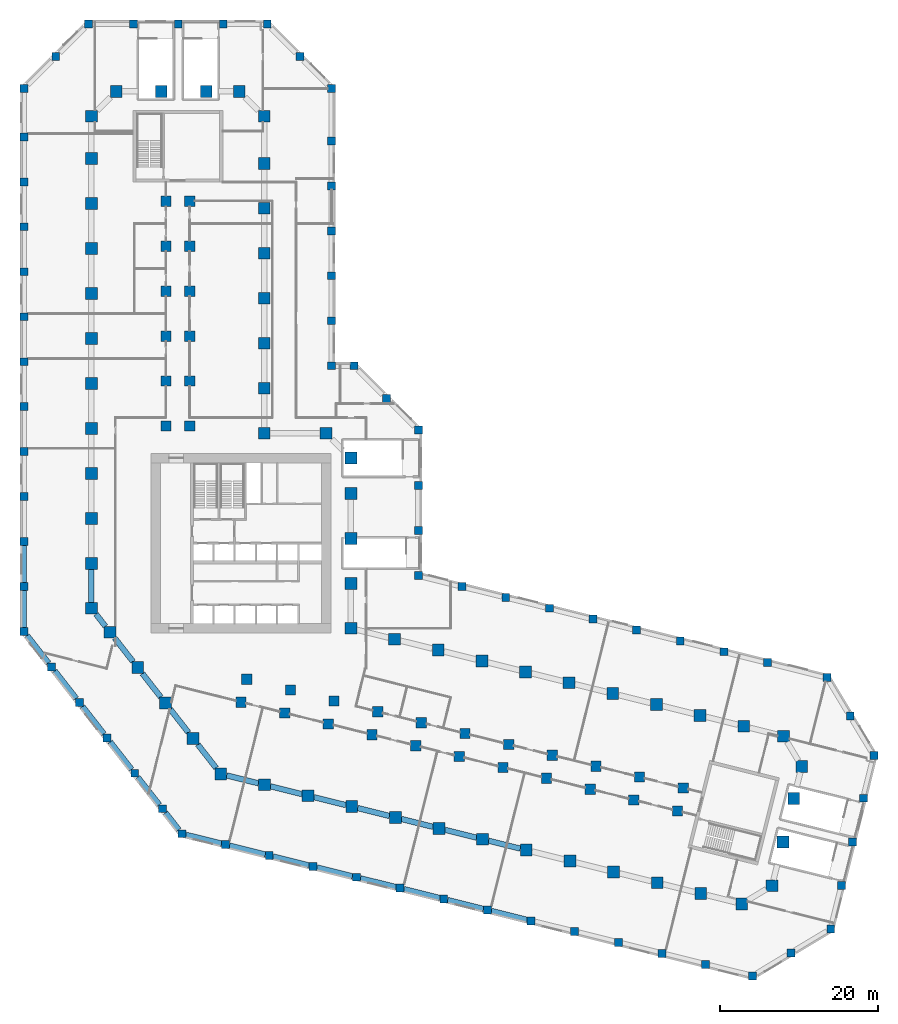
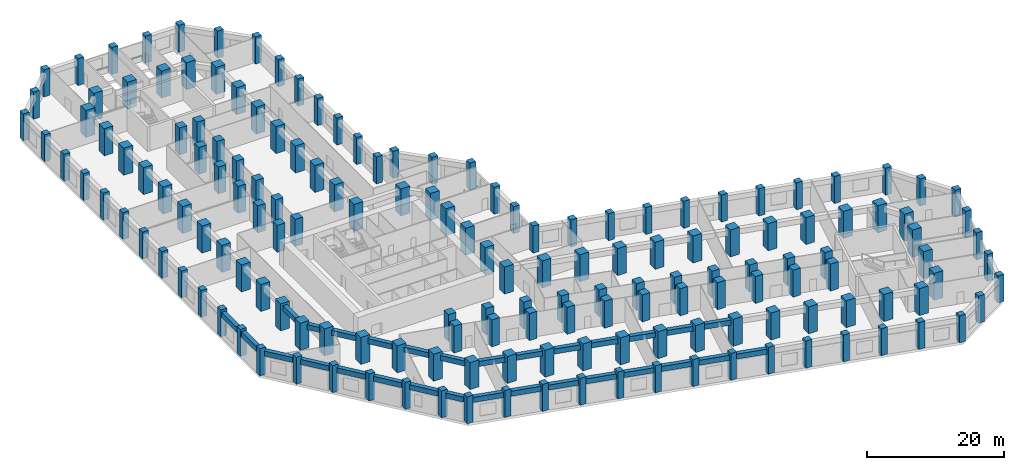
# One storey, part 1 of 13: 163 columns, 29 beams.
"""IFC4 building model written with IfcOpenShell, lengths in metres."""

from ifc_helpers import new_model, si_unit, direction, frame, origin, origin_2d, place, context, subcontext, project, spatial, rectangle, extrude, material, material_profile, profile_set, type_object, element, save


model = new_model("IFC4")

# Units and contexts
model_context = context("Model", 3, precision=1e-05, world=origin(), true_north=direction((0.0, 1.0)))
body_context = subcontext(model_context, "Body", "Model", "MODEL_VIEW")
ifc_project = project(units=[si_unit("LENGTHUNIT", "METRE"), si_unit("AREAUNIT", "SQUARE_METRE"), si_unit("VOLUMEUNIT", "CUBIC_METRE"), si_unit("PLANEANGLEUNIT", "RADIAN"), si_unit("MASSUNIT", "GRAM", prefix="KILO")], contexts=[model_context])

# Site, building, storey
site_placement = place(None, origin())
site = spatial("IfcSite", under=ifc_project, at=site_placement, CompositionType="ELEMENT")
building_placement = place(site_placement, origin())
building = spatial("IfcBuilding", under=site, at=building_placement, Name="Meshkara Civic Tower", CompositionType="ELEMENT")
storey_placement = place(building_placement, frame((0.0, 0.0, 28.199951171875)))
storey = spatial("IfcBuildingStorey", under=building, at=storey_placement, Name="L05", CompositionType="ELEMENT", Elevation=28.199951171875)

# Columns
ifc_material_1 = material(Name="Concrete C80", Category="concrete")
ifc_material_profile_1 = material_profile(ifc_material_1, rectangle(XDim=1.300048828125, YDim=1.300048828125, at=origin_2d()))
ifc_profile_set_1 = profile_set([ifc_material_profile_1], Name="Concrete C80")
column_type_1 = type_object("IfcColumnType", Name="Interior column RC 1300x1300 C80", PredefinedType="COLUMN", material=ifc_profile_set_1)
for number, where, z_axis, x_axis, name in (
    (1, (9.89990234375, 40.35009765625, 0.0), (0.0, 0.0, 1.0), (1.0, 0.0, 0.0), "Column SA1-04 L05"),
    (2, (9.89990234375, 46.050048828125, 0.0), (0.0, 0.0, 1.0), (1.0, 0.0, 0.0), "Column SA1-05 L05"),
    (3, (9.89990234375, 51.75, 0.0), (0.0, 0.0, 1.0), (1.0, 0.0, 0.0), "Column SA1-06 L05"),
    (4, (9.89990234375, 57.449951171875, 0.0), (0.0, 0.0, 1.0), (1.0, 0.0, 0.0), "Column SA1-07 L05"),
    (5, (9.89990234375, 63.14990234375, 0.0), (0.0, 0.0, 1.0), (1.0, 0.0, 0.0), "Column SA1-08 L05"),
    (6, (9.89990234375, 68.85009765625, 0.0), (0.0, 0.0, 1.0), (1.0, 0.0, 0.0), "Column SA1-09 L05"),
    (7, (12.89990234375, 40.35009765625, 0.0), (0.0, 0.0, 1.0), (1.0, 0.0, 0.0), "Column SA2-04 L05"),
    (8, (12.89990234375, 46.050048828125, 0.0), (0.0, 0.0, 1.0), (1.0, 0.0, 0.0), "Column SA2-05 L05"),
    (9, (12.89990234375, 51.75, 0.0), (0.0, 0.0, 1.0), (1.0, 0.0, 0.0), "Column SA2-06 L05"),
    (10, (12.89990234375, 57.449951171875, 0.0), (0.0, 0.0, 1.0), (1.0, 0.0, 0.0), "Column SA2-07 L05"),
    (11, (12.89990234375, 63.14990234375, 0.0), (0.0, 0.0, 1.0), (1.0, 0.0, 0.0), "Column SA2-08 L05"),
    (12, (12.89990234375, 68.85009765625, 0.0), (0.0, 0.0, 1.0), (1.0, 0.0, 0.0), "Column SA2-09 L05"),
    (13, (19.424072265625, 5.360107421875, 0.0), (0.0, 0.0, 1.0), (1.0, 0.0, 0.0), "Column SB1-00 L05"),
    (14, (24.9541015625, 3.98095703125, 0.0), (0.0, 0.0, 1.0), (1.0, 0.0, 0.0), "Column SB1-01 L05"),
    (15, (30.485107421875, 2.60205078125, 0.0), (0.0, 0.0, 1.0), (1.0, 0.0, 0.0), "Column SB1-02 L05"),
    (16, (36.01611328125, 1.222900390625, 0.0), (0.0, 0.0, 1.0), (1.0, 0.0, 0.0), "Column SB1-03 L05"),
    (17, (41.5458984375, -0.156005859375, 0.0), (0.0, 0.0, 1.0), (1.0, 0.0, 0.0), "Column SB1-04 L05"),
    (18, (47.076904296875, -1.534912109375, 0.0), (0.0, 0.0, 1.0), (1.0, 0.0, 0.0), "Column SB1-05 L05"),
    (19, (52.60791015625, -2.9140625, 0.0), (0.0, 0.0, 1.0), (1.0, 0.0, 0.0), "Column SB1-06 L05"),
    (20, (58.138916015625, -4.2919921875, 0.0), (0.0, 0.0, 1.0), (1.0, 0.0, 0.0), "Column SB1-07 L05"),
    (21, (63.6689453125, -5.6708984375, 0.0), (0.0, 0.0, 1.0), (1.0, 0.0, 0.0), "Column SB1-08 L05"),
    (22, (69.199951171875, -7.050048828125, 0.0), (0.0, 0.0, 1.0), (1.0, 0.0, 0.0), "Column SB1-09 L05"),
    (23, (74.73095703125, -8.428955078125, 0.0), (0.0, 0.0, 1.0), (1.0, 0.0, 0.0), "Column SB1-10 L05"),
    (24, (20.14892578125, 8.27099609375, 0.0), (0.0, 0.0, 1.0), (1.0, 0.0, 0.0), "Column SB2-00 L05"),
    (25, (25.679931640625, 6.89208984375, 0.0), (0.0, 0.0, 1.0), (1.0, 0.0, 0.0), "Column SB2-01 L05"),
    (26, (31.2109375, 5.512939453125, 0.0), (0.0, 0.0, 1.0), (1.0, 0.0, 0.0), "Column SB2-02 L05"),
    (27, (36.741943359375, 4.134033203125, 0.0), (0.0, 0.0, 1.0), (1.0, 0.0, 0.0), "Column SB2-03 L05"),
    (28, (42.27197265625, 2.7548828125, 0.0), (0.0, 0.0, 1.0), (1.0, 0.0, 0.0), "Column SB2-04 L05"),
    (29, (47.802978515625, 1.3759765625, 0.0), (0.0, 0.0, 1.0), (1.0, 0.0, 0.0), "Column SB2-05 L05"),
    (30, (53.333984375, -0.0029296875, 0.0), (0.0, 0.0, 1.0), (1.0, 0.0, 0.0), "Column SB2-06 L05"),
    (31, (58.864013671875, -1.382080078125, 0.0), (0.0, 0.0, 1.0), (1.0, 0.0, 0.0), "Column SB2-07 L05"),
    (32, (64.39501953125, -2.760986328125, 0.0), (0.0, 0.0, 1.0), (1.0, 0.0, 0.0), "Column SB2-08 L05"),
    (33, (69.926025390625, -4.139892578125, 0.0), (0.0, 0.0, 1.0), (1.0, 0.0, 0.0), "Column SB2-09 L05"),
    (34, (75.4560546875, -5.51806640625, 0.0), (0.0, 0.0, 1.0), (1.0, 0.0, 0.0), "Column SB2-10 L05"),
):
    element("IfcColumn", number, at=place(storey_placement, frame(where, z_axis=z_axis, x_axis=x_axis)), inside=storey, type_object=column_type_1, Name=name, PredefinedType="COLUMN", context=body_context, shape_type="SweptSolid", body=[
        extrude(rectangle(XDim=1.300048828125, YDim=1.300048828125, at=origin_2d()), origin(), (0.0, 0.0, 1.0), 4.800048828125),
    ])
ifc_material_2 = material(Name="Concrete C80", Category="concrete")
ifc_material_profile_2 = material_profile(ifc_material_2, rectangle(XDim=1.5, YDim=1.5, at=origin_2d()))
ifc_profile_set_2 = profile_set([ifc_material_profile_2], Name="Concrete C80")
column_type_2 = type_object("IfcColumnType", Name="Perimeter column RC 1500x1500 C80", PredefinedType="COLUMN", material=ifc_profile_set_2)
for number, where, z_axis, x_axis, name in (
    (35, (33.35009765625, 14.718994140625, 0.0), (0.0, 0.0, 1.0), (1.0, 0.0, 0.0), "Column HE00 L05"),
    (36, (33.35009765625, 20.4189453125, 0.0), (0.0, 0.0, 1.0), (1.0, 0.0, 0.0), "Column HE01 L05"),
    (37, (33.35009765625, 26.118896484375, 0.0), (0.0, 0.0, 1.0), (1.0, 0.0, 0.0), "Column HE02 L05"),
    (38, (33.35009765625, 31.819091796875, 0.0), (0.0, 0.0, 1.0), (1.0, 0.0, 0.0), "Column HE03 L05"),
    (39, (33.35009765625, 36.2939453125, 0.0), (0.0, 0.0, 1.0), (1.0, 0.0, 0.0), "Column HEE L05"),
    (40, (30.194091796875, 39.449951171875, 0.0), (0.0, 0.0, 1.0), (1.0, 0.0, 0.0), "Column HCeE L05"),
    (41, (22.35009765625, 39.449951171875, 0.0), (0.0, 0.0, 1.0), (1.0, 0.0, 0.0), "Column HN00 L05"),
    (42, (22.35009765625, 45.14990234375, 0.0), (0.0, 0.0, 1.0), (1.0, 0.0, 0.0), "Column AE01 L05"),
    (43, (22.35009765625, 50.85009765625, 0.0), (0.0, 0.0, 1.0), (1.0, 0.0, 0.0), "Column AE02 L05"),
    (44, (22.35009765625, 56.550048828125, 0.0), (0.0, 0.0, 1.0), (1.0, 0.0, 0.0), "Column AE03 L05"),
    (45, (22.35009765625, 62.25, 0.0), (0.0, 0.0, 1.0), (1.0, 0.0, 0.0), "Column AE04 L05"),
    (46, (22.35009765625, 67.949951171875, 0.0), (0.0, 0.0, 1.0), (1.0, 0.0, 0.0), "Column AE05 L05"),
    (47, (22.35009765625, 73.64990234375, 0.0), (0.0, 0.0, 1.0), (1.0, 0.0, 0.0), "Column AE06 L05"),
    (48, (22.35009765625, 79.614013671875, 0.0), (0.0, 0.0, 1.0), (1.0, 0.0, 0.0), "Column AEE L05"),
    (49, (19.194091796875, 82.77001953125, 0.0), (0.0, 0.0, 1.0), (1.0, 0.0, 0.0), "Column ATiE L05"),
    (50, (3.60595703125, 82.77001953125, 0.0), (0.0, 0.0, 1.0), (1.0, 0.0, 0.0), "Column AT00 L05"),
    (51, (9.305908203125, 82.77001953125, 0.0), (0.0, 0.0, 1.0), (1.0, 0.0, 0.0), "Column AT01 L05"),
    (52, (15.006103515625, 82.77001953125, 0.0), (0.0, 0.0, 1.0), (1.0, 0.0, 0.0), "Column AT02 L05"),
    (53, (0.449951171875, 79.614013671875, 0.0), (0.0, 0.0, 1.0), (1.0, 0.0, 0.0), "Column ATo00 L05"),
    (54, (0.449951171875, 17.2548828125, 0.0), (0.0, 0.0, 1.0), (1.0, 0.0, 0.0), "Column AW00 L05"),
    (55, (0.449951171875, 22.955078125, 0.0), (0.0, 0.0, 1.0), (1.0, 0.0, 0.0), "Column AW01 L05"),
    (56, (0.449951171875, 28.655029296875, 0.0), (0.0, 0.0, 1.0), (1.0, 0.0, 0.0), "Column AW02 L05"),
    (57, (0.449951171875, 34.35498046875, 0.0), (0.0, 0.0, 1.0), (1.0, 0.0, 0.0), "Column AW03 L05"),
    (58, (0.449951171875, 40.054931640625, 0.0), (0.0, 0.0, 1.0), (1.0, 0.0, 0.0), "Column AW04 L05"),
    (59, (0.449951171875, 45.7548828125, 0.0), (0.0, 0.0, 1.0), (1.0, 0.0, 0.0), "Column AW05 L05"),
    (60, (0.449951171875, 51.455078125, 0.0), (0.0, 0.0, 1.0), (1.0, 0.0, 0.0), "Column AW06 L05"),
    (61, (0.449951171875, 57.155029296875, 0.0), (0.0, 0.0, 1.0), (1.0, 0.0, 0.0), "Column AW07 L05"),
    (62, (0.449951171875, 62.85498046875, 0.0), (0.0, 0.0, 1.0), (1.0, 0.0, 0.0), "Column AW08 L05"),
    (63, (0.449951171875, 68.554931640625, 0.0), (0.0, 0.0, 1.0), (1.0, 0.0, 0.0), "Column AW09 L05"),
    (64, (0.449951171875, 74.2548828125, 0.0), (0.0, 0.0, 1.0), (1.0, 0.0, 0.0), "Column AW10 L05"),
    (65, (16.85107421875, -3.738037109375, 0.0), (0.0, 0.0, 1.0), (1.0, 0.0, 0.0), "Column BOW00 L05"),
    (66, (13.342041015625, 0.75390625, 0.0), (0.0, 0.0, 1.0), (1.0, 0.0, 0.0), "Column BOW01 L05"),
    (67, (9.8330078125, 5.2451171875, 0.0), (0.0, 0.0, 1.0), (1.0, 0.0, 0.0), "Column BOW02 L05"),
    (68, (6.322998046875, 9.737060546875, 0.0), (0.0, 0.0, 1.0), (1.0, 0.0, 0.0), "Column BOW03 L05"),
    (69, (2.81396484375, 14.22900390625, 0.0), (0.0, 0.0, 1.0), (1.0, 0.0, 0.0), "Column BOW04 L05"),
    (70, (22.382080078125, -5.116943359375, 0.0), (0.0, 0.0, 1.0), (1.0, 0.0, 0.0), "Column BS01 L05"),
    (71, (27.912109375, -6.49609375, 0.0), (0.0, 0.0, 1.0), (1.0, 0.0, 0.0), "Column BS02 L05"),
    (72, (33.443115234375, -7.875, 0.0), (0.0, 0.0, 1.0), (1.0, 0.0, 0.0), "Column BS03 L05"),
    (73, (38.97412109375, -9.25390625, 0.0), (0.0, 0.0, 1.0), (1.0, 0.0, 0.0), "Column BS04 L05"),
    (74, (44.5048828125, -10.632080078125, 0.0), (0.0, 0.0, 1.0), (1.0, 0.0, 0.0), "Column BS05 L05"),
    (75, (50.034912109375, -12.010986328125, 0.0), (0.0, 0.0, 1.0), (1.0, 0.0, 0.0), "Column BS06 L05"),
    (76, (55.56591796875, -13.389892578125, 0.0), (0.0, 0.0, 1.0), (1.0, 0.0, 0.0), "Column BS07 L05"),
    (77, (61.096923828125, -14.76904296875, 0.0), (0.0, 0.0, 1.0), (1.0, 0.0, 0.0), "Column BS08 L05"),
    (78, (66.626953125, -16.14794921875, 0.0), (0.0, 0.0, 1.0), (1.0, 0.0, 0.0), "Column BS09 L05"),
    (79, (72.157958984375, -17.527099609375, 0.0), (0.0, 0.0, 1.0), (1.0, 0.0, 0.0), "Column BS10 L05"),
    (80, (77.68896484375, -18.906005859375, 0.0), (0.0, 0.0, 1.0), (1.0, 0.0, 0.0), "Column BS11 L05"),
    (81, (82.887939453125, -20.201904296875, 0.0), (0.0, 0.0, 1.0), (1.0, 0.0, 0.0), "Column BSE L05"),
    (82, (86.714111328125, -17.903076171875, 0.0), (0.0, 0.0, 1.0), (1.0, 0.0, 0.0), "Column BToE L05"),
    (83, (88.093017578125, -12.3720703125, 0.0), (0.0, 0.0, 1.0), (1.0, 0.0, 0.0), "Column BT01 L05"),
    (84, (89.471923828125, -6.842041015625, 0.0), (0.0, 0.0, 1.0), (1.0, 0.0, 0.0), "Column BT02 L05"),
    (85, (90.485107421875, -2.779052734375, 0.0), (0.0, 0.0, 1.0), (1.0, 0.0, 0.0), "Column BTE L05"),
    (86, (88.18603515625, 1.0458984375, 0.0), (0.0, 0.0, 1.0), (1.0, 0.0, 0.0), "Column BTi00 L05"),
    (87, (38.881103515625, 13.340087890625, 0.0), (0.0, 0.0, 1.0), (1.0, 0.0, 0.0), "Column BN01 L05"),
    (88, (44.410888671875, 11.9609375, 0.0), (0.0, 0.0, 1.0), (1.0, 0.0, 0.0), "Column BN02 L05"),
    (89, (49.94189453125, 10.58203125, 0.0), (0.0, 0.0, 1.0), (1.0, 0.0, 0.0), "Column BN03 L05"),
    (90, (55.472900390625, 9.202880859375, 0.0), (0.0, 0.0, 1.0), (1.0, 0.0, 0.0), "Column BN04 L05"),
    (91, (61.0029296875, 7.823974609375, 0.0), (0.0, 0.0, 1.0), (1.0, 0.0, 0.0), "Column BN05 L05"),
    (92, (66.533935546875, 6.445068359375, 0.0), (0.0, 0.0, 1.0), (1.0, 0.0, 0.0), "Column BN06 L05"),
    (93, (72.06494140625, 5.06591796875, 0.0), (0.0, 0.0, 1.0), (1.0, 0.0, 0.0), "Column BN07 L05"),
    (94, (77.594970703125, 3.68701171875, 0.0), (0.0, 0.0, 1.0), (1.0, 0.0, 0.0), "Column BN08 L05"),
    (95, (83.1259765625, 2.30810546875, 0.0), (0.0, 0.0, 1.0), (1.0, 0.0, 0.0), "Column BN09 L05"),
):
    element("IfcColumn", number, at=place(storey_placement, frame(where, z_axis=z_axis, x_axis=x_axis)), inside=storey, type_object=column_type_2, Name=name, PredefinedType="COLUMN", context=body_context, shape_type="SweptSolid", body=[
        extrude(rectangle(XDim=1.5, YDim=1.5, at=origin_2d()), origin(), (0.0, 0.0, 1.0), 4.800048828125),
    ])
ifc_material_3 = material(Name="Concrete C60", Category="concrete")
ifc_material_profile_3 = material_profile(ifc_material_3, rectangle(XDim=1.0, YDim=1.0, at=origin_2d()))
ifc_profile_set_3 = profile_set([ifc_material_profile_3], Name="Concrete C60")
column_type_3 = type_object("IfcColumnType", Name="Podium edge column RC 1000x1000 C60", PredefinedType="COLUMN", material=ifc_profile_set_3)
for number, where, z_axis, x_axis, name in (
    (96, (0.06396484375, 91.320068359375, 0.0), (0.0, 0.0, 1.0), (1.0, 0.0, 0.0), "Column PD00-00 L05"),
    (97, (5.763916015625, 91.320068359375, 0.0), (0.0, 0.0, 1.0), (1.0, 0.0, 0.0), "Column PD00-01 L05"),
    (98, (11.464111328125, 91.320068359375, 0.0), (0.0, 0.0, 1.0), (1.0, 0.0, 0.0), "Column PD00-02 L05"),
    (99, (17.1640625, 91.320068359375, 0.0), (0.0, 0.0, 1.0), (1.0, 0.0, 0.0), "Column PD00-03 L05"),
    (100, (22.736083984375, 91.320068359375, 0.0), (0.0, 0.0, 1.0), (1.0, 0.0, 0.0), "Column PD00-E L05"),
    (101, (-8.10009765625, 83.156005859375, 0.0), (0.0, 0.0, 1.0), (1.0, 0.0, 0.0), "Column PD01-00 L05"),
    (102, (-4.069091796875, 87.18701171875, 0.0), (0.0, 0.0, 1.0), (1.0, 0.0, 0.0), "Column PD01-01 L05"),
    (103, (-8.10009765625, 14.31103515625, 0.0), (0.0, 0.0, 1.0), (1.0, 0.0, 0.0), "Column PD02-00 L05"),
    (104, (-8.10009765625, 20.010986328125, 0.0), (0.0, 0.0, 1.0), (1.0, 0.0, 0.0), "Column PD02-01 L05"),
    (105, (-8.10009765625, 25.7109375, 0.0), (0.0, 0.0, 1.0), (1.0, 0.0, 0.0), "Column PD02-02 L05"),
    (106, (-8.10009765625, 31.410888671875, 0.0), (0.0, 0.0, 1.0), (1.0, 0.0, 0.0), "Column PD02-03 L05"),
    (107, (-8.10009765625, 37.111083984375, 0.0), (0.0, 0.0, 1.0), (1.0, 0.0, 0.0), "Column PD02-04 L05"),
    (108, (-8.10009765625, 42.81103515625, 0.0), (0.0, 0.0, 1.0), (1.0, 0.0, 0.0), "Column PD02-05 L05"),
    (109, (-8.10009765625, 48.510986328125, 0.0), (0.0, 0.0, 1.0), (1.0, 0.0, 0.0), "Column PD02-06 L05"),
    (110, (-8.10009765625, 54.2109375, 0.0), (0.0, 0.0, 1.0), (1.0, 0.0, 0.0), "Column PD02-07 L05"),
    (111, (-8.10009765625, 59.910888671875, 0.0), (0.0, 0.0, 1.0), (1.0, 0.0, 0.0), "Column PD02-08 L05"),
    (112, (-8.10009765625, 65.611083984375, 0.0), (0.0, 0.0, 1.0), (1.0, 0.0, 0.0), "Column PD02-09 L05"),
    (113, (-8.10009765625, 71.31103515625, 0.0), (0.0, 0.0, 1.0), (1.0, 0.0, 0.0), "Column PD02-10 L05"),
    (114, (-8.10009765625, 77.010986328125, 0.0), (0.0, 0.0, 1.0), (1.0, 0.0, 0.0), "Column PD02-11 L05"),
    (115, (-4.591064453125, 9.819091796875, 0.0), (0.0, 0.0, 1.0), (1.0, 0.0, 0.0), "Column PD03-01 L05"),
    (116, (-1.08203125, 5.327880859375, 0.0), (0.0, 0.0, 1.0), (1.0, 0.0, 0.0), "Column PD03-02 L05"),
    (117, (2.427978515625, 0.8359375, 0.0), (0.0, 0.0, 1.0), (1.0, 0.0, 0.0), "Column PD03-03 L05"),
    (118, (5.93701171875, -3.656005859375, 0.0), (0.0, 0.0, 1.0), (1.0, 0.0, 0.0), "Column PD03-04 L05"),
    (119, (9.446044921875, -8.14794921875, 0.0), (0.0, 0.0, 1.0), (1.0, 0.0, 0.0), "Column PD03-05 L05"),
    (120, (11.926025390625, -11.322021484375, 0.0), (0.0, 0.0, 1.0), (1.0, 0.0, 0.0), "Column PD03-E L05"),
    (121, (17.45703125, -12.700927734375, 0.0), (0.0, 0.0, 1.0), (1.0, 0.0, 0.0), "Column PD04-01 L05"),
    (122, (22.987060546875, -14.080078125, 0.0), (0.0, 0.0, 1.0), (1.0, 0.0, 0.0), "Column PD04-02 L05"),
    (123, (28.51806640625, -15.458984375, 0.0), (0.0, 0.0, 1.0), (1.0, 0.0, 0.0), "Column PD04-03 L05"),
    (124, (34.049072265625, -16.837890625, 0.0), (0.0, 0.0, 1.0), (1.0, 0.0, 0.0), "Column PD04-04 L05"),
    (125, (39.580078125, -18.216064453125, 0.0), (0.0, 0.0, 1.0), (1.0, 0.0, 0.0), "Column PD04-05 L05"),
    (126, (45.110107421875, -19.594970703125, 0.0), (0.0, 0.0, 1.0), (1.0, 0.0, 0.0), "Column PD04-06 L05"),
    (127, (50.64111328125, -20.97412109375, 0.0), (0.0, 0.0, 1.0), (1.0, 0.0, 0.0), "Column PD04-07 L05"),
    (128, (56.172119140625, -22.35302734375, 0.0), (0.0, 0.0, 1.0), (1.0, 0.0, 0.0), "Column PD04-08 L05"),
    (129, (61.701904296875, -23.73193359375, 0.0), (0.0, 0.0, 1.0), (1.0, 0.0, 0.0), "Column PD04-09 L05"),
    (130, (67.23291015625, -25.111083984375, 0.0), (0.0, 0.0, 1.0), (1.0, 0.0, 0.0), "Column PD04-10 L05"),
    (131, (72.763916015625, -26.489990234375, 0.0), (0.0, 0.0, 1.0), (1.0, 0.0, 0.0), "Column PD04-11 L05"),
    (132, (78.2939453125, -27.868896484375, 0.0), (0.0, 0.0, 1.0), (1.0, 0.0, 0.0), "Column PD04-12 L05"),
    (133, (84.256103515625, -29.35498046875, 0.0), (0.0, 0.0, 1.0), (1.0, 0.0, 0.0), "Column PD04-E L05"),
    (134, (89.14208984375, -26.4189453125, 0.0), (0.0, 0.0, 1.0), (1.0, 0.0, 0.0), "Column PD05-01 L05"),
    (135, (94.153076171875, -23.407958984375, 0.0), (0.0, 0.0, 1.0), (1.0, 0.0, 0.0), "Column PD05-E L05"),
    (136, (95.531982421875, -17.876953125, 0.0), (0.0, 0.0, 1.0), (1.0, 0.0, 0.0), "Column PD06-01 L05"),
    (137, (96.910888671875, -12.346923828125, 0.0), (0.0, 0.0, 1.0), (1.0, 0.0, 0.0), "Column PD06-02 L05"),
    (138, (98.2900390625, -6.81591796875, 0.0), (0.0, 0.0, 1.0), (1.0, 0.0, 0.0), "Column PD06-03 L05"),
    (139, (99.637939453125, -1.410888671875, 0.0), (0.0, 0.0, 1.0), (1.0, 0.0, 0.0), "Column PD06-E L05"),
    (140, (93.68994140625, 8.485107421875, 0.0), (0.0, 0.0, 1.0), (1.0, 0.0, 0.0), "Column PD07-00 L05"),
    (141, (96.6259765625, 3.60009765625, 0.0), (0.0, 0.0, 1.0), (1.0, 0.0, 0.0), "Column PD07-01 L05"),
    (142, (41.89990234375, 21.39892578125, 0.0), (0.0, 0.0, 1.0), (1.0, 0.0, 0.0), "Column PD08-00 L05"),
    (143, (47.430908203125, 20.02001953125, 0.0), (0.0, 0.0, 1.0), (1.0, 0.0, 0.0), "Column PD08-01 L05"),
    (144, (52.9609375, 18.64111328125, 0.0), (0.0, 0.0, 1.0), (1.0, 0.0, 0.0), "Column PD08-02 L05"),
    (145, (58.491943359375, 17.261962890625, 0.0), (0.0, 0.0, 1.0), (1.0, 0.0, 0.0), "Column PD08-03 L05"),
    (146, (64.02294921875, 15.883056640625, 0.0), (0.0, 0.0, 1.0), (1.0, 0.0, 0.0), "Column PD08-04 L05"),
    (147, (69.552978515625, 14.50390625, 0.0), (0.0, 0.0, 1.0), (1.0, 0.0, 0.0), "Column PD08-05 L05"),
    (148, (75.083984375, 13.1240234375, 0.0), (0.0, 0.0, 1.0), (1.0, 0.0, 0.0), "Column PD08-06 L05"),
    (149, (80.614990234375, 11.7451171875, 0.0), (0.0, 0.0, 1.0), (1.0, 0.0, 0.0), "Column PD08-07 L05"),
    (150, (86.14501953125, 10.365966796875, 0.0), (0.0, 0.0, 1.0), (1.0, 0.0, 0.0), "Column PD08-08 L05"),
    (151, (41.89990234375, 27.09912109375, 0.0), (0.0, 0.0, 1.0), (1.0, 0.0, 0.0), "Column PD09-01 L05"),
    (152, (41.89990234375, 32.799072265625, 0.0), (0.0, 0.0, 1.0), (1.0, 0.0, 0.0), "Column PD09-02 L05"),
    (153, (41.89990234375, 39.8359375, 0.0), (0.0, 0.0, 1.0), (1.0, 0.0, 0.0), "Column PD09-E L05"),
    (154, (37.868896484375, 43.866943359375, 0.0), (0.0, 0.0, 1.0), (1.0, 0.0, 0.0), "Column PD10-01 L05"),
    (155, (33.736083984375, 48.0, 0.0), (0.0, 0.0, 1.0), (1.0, 0.0, 0.0), "Column PD10-E L05"),
    (156, (30.89990234375, 48.0, 0.0), (0.0, 0.0, 1.0), (1.0, 0.0, 0.0), "Column PD11-00 L05"),
    (157, (30.89990234375, 53.699951171875, 0.0), (0.0, 0.0, 1.0), (1.0, 0.0, 0.0), "Column PD12-01 L05"),
    (158, (30.89990234375, 59.39990234375, 0.0), (0.0, 0.0, 1.0), (1.0, 0.0, 0.0), "Column PD12-02 L05"),
    (159, (30.89990234375, 65.10009765625, 0.0), (0.0, 0.0, 1.0), (1.0, 0.0, 0.0), "Column PD12-03 L05"),
    (160, (30.89990234375, 70.800048828125, 0.0), (0.0, 0.0, 1.0), (1.0, 0.0, 0.0), "Column PD12-04 L05"),
    (161, (30.89990234375, 76.5, 0.0), (0.0, 0.0, 1.0), (1.0, 0.0, 0.0), "Column PD12-05 L05"),
    (162, (30.89990234375, 83.156005859375, 0.0), (0.0, 0.0, 1.0), (1.0, 0.0, 0.0), "Column PD12-E L05"),
    (163, (26.868896484375, 87.18701171875, 0.0), (0.0, 0.0, 1.0), (1.0, 0.0, 0.0), "Column PD13-01 L05"),
):
    element("IfcColumn", number, at=place(storey_placement, frame(where, z_axis=z_axis, x_axis=x_axis)), inside=storey, type_object=column_type_3, Name=name, PredefinedType="COLUMN", context=body_context, shape_type="SweptSolid", body=[
        extrude(rectangle(XDim=1.0, YDim=1.0, at=origin_2d()), origin(), (0.0, 0.0, 1.0), 4.800048828125),
    ])

# Beams
ifc_material_4 = material(Name="Concrete C60", Category="concrete")
ifc_material_profile_4 = material_profile(ifc_material_4, rectangle(XDim=0.699951171875, YDim=0.89990234375, at=origin_2d()))
ifc_profile_set_4 = profile_set([ifc_material_profile_4], Name="Concrete C60")
beam_type = type_object("IfcBeamType", Name="Spandrel beam RC 700x900 C60", PredefinedType="BEAM", material=ifc_profile_set_4)
beam_1_placement = place(storey_placement, frame((-8.10009765625, 25.216064453125, 3.900146484375), z_axis=(0.0, -1.0, 0.0), x_axis=(1.0, 0.0, 0.0)))
element("IfcBeam", 164, at=beam_1_placement, inside=storey, type_object=beam_type, Name="Spandrel beam PD02-01-PD02-02", PredefinedType="BEAM", context=body_context, shape_type="SweptSolid", body=[
    extrude(rectangle(XDim=0.699951171875, YDim=0.89990234375, at=origin_2d()), origin(), (0.0, 0.0, 1.0), 4.7099609375),
])
beam_2_placement = place(storey_placement, frame((-8.10009765625, 19.51611328125, 3.900146484375), z_axis=(0.0, -1.0, 0.0), x_axis=(1.0, 0.0, 0.0)))
element("IfcBeam", 165, at=beam_2_placement, inside=storey, type_object=beam_type, Name="Spandrel beam PD02-00-PD02-01", PredefinedType="BEAM", context=body_context, shape_type="SweptSolid", body=[
    extrude(rectangle(XDim=0.699951171875, YDim=0.89990234375, at=origin_2d()), origin(), (0.0, 0.0, 1.0), 4.710205078125),
])
beam_3_placement = place(storey_placement, frame((-7.71240234375, 13.81494140625, 3.900146484375), z_axis=(0.615602435322, -0.788056877151, 0.0), x_axis=(0.788056877151, 0.615602435322, 0.0)))
element("IfcBeam", 166, at=beam_3_placement, inside=storey, type_object=beam_type, Name="Spandrel beam PD02-00-PD03-01", PredefinedType="BEAM", context=body_context, shape_type="SweptSolid", body=[
    extrude(rectangle(XDim=0.699951171875, YDim=0.89990234375, at=origin_2d()), origin(), (0.0, 0.0, 1.0), 4.44091796875),
])
beam_4_placement = place(storey_placement, frame((-4.203369140625, 9.322998046875, 3.900146484375), z_axis=(0.615709126877, -0.787973521814, 0.0), x_axis=(0.787973521814, 0.615709126877, 0.0)))
element("IfcBeam", 167, at=beam_4_placement, inside=storey, type_object=beam_type, Name="Spandrel beam PD03-01-PD03-02", PredefinedType="BEAM", context=body_context, shape_type="SweptSolid", body=[
    extrude(rectangle(XDim=0.699951171875, YDim=0.89990234375, at=origin_2d()), origin(), (0.0, 0.0, 1.0), 4.440185546875),
])
beam_5_placement = place(storey_placement, frame((-0.6943359375, 4.831787109375, 3.900146484375), z_axis=(0.615704842432, -0.787976869588, 0.0), x_axis=(0.787976869588, 0.615704842432, 0.0)))
element("IfcBeam", 168, at=beam_5_placement, inside=storey, type_object=beam_type, Name="Spandrel beam PD03-02-PD03-03", PredefinedType="BEAM", context=body_context, shape_type="SweptSolid", body=[
    extrude(rectangle(XDim=0.699951171875, YDim=0.89990234375, at=origin_2d()), origin(), (0.0, 0.0, 1.0), 4.44140625),
])
for number, where, z_axis, x_axis, name in (
    (169, (2.8154296875, 0.33984375, 3.900146484375), (0.615636574491, -0.788030207637, 0.0), (0.788030207637, 0.615636574491, 0.0), "Spandrel beam PD03-03-PD03-04"),
    (170, (6.324462890625, -4.152099609375, 3.900146484375), (0.615636574491, -0.788030207637, 0.0), (0.788030207637, 0.615636574491, 0.0), "Spandrel beam PD03-04-PD03-05"),
):
    element("IfcBeam", number, at=place(storey_placement, frame(where, z_axis=z_axis, x_axis=x_axis)), inside=storey, type_object=beam_type, Name=name, PredefinedType="BEAM", context=body_context, shape_type="SweptSolid", body=[
        extrude(rectangle(XDim=0.699951171875, YDim=0.89990234375, at=origin_2d()), origin(), (0.0, 0.0, 1.0), 4.441162109375),
    ])
beam_6_placement = place(storey_placement, frame((9.83349609375, -8.64404296875, 3.900146484375), z_axis=(0.615697082111, -0.787982933242, 0.0), x_axis=(0.787982933242, 0.615697082111, 0.0)))
element("IfcBeam", 171, at=beam_6_placement, inside=storey, type_object=beam_type, Name="Spandrel beam PD03-05-PD03-E", PredefinedType="BEAM", context=body_context, shape_type="SweptSolid", body=[
    extrude(rectangle(XDim=0.699951171875, YDim=0.89990234375, at=origin_2d()), origin(), (0.0, 0.0, 1.0), 2.76904296875),
])
beam_7_placement = place(storey_placement, frame((12.421142578125, -11.445556640625, 3.900146484375), z_axis=(0.970311050729, -0.24186042428, 0.0), x_axis=(0.24186042428, 0.970311050729, 0.0)))
element("IfcBeam", 172, at=beam_7_placement, inside=storey, type_object=beam_type, Name="Spandrel beam PD03-E-PD04-01", PredefinedType="BEAM", context=body_context, shape_type="SweptSolid", body=[
    extrude(rectangle(XDim=0.699951171875, YDim=0.89990234375, at=origin_2d()), origin(), (0.0, 0.0, 1.0), 4.6796875),
])
beam_8_placement = place(storey_placement, frame((17.9521484375, -12.824462890625, 3.900146484375), z_axis=(0.970286590806, -0.241958533023, 0.0), x_axis=(0.241958533023, 0.970286590806, 0.0)))
element("IfcBeam", 173, at=beam_8_placement, inside=storey, type_object=beam_type, Name="Spandrel beam PD04-01-PD04-02", PredefinedType="BEAM", context=body_context, shape_type="SweptSolid", body=[
    extrude(rectangle(XDim=0.699951171875, YDim=0.89990234375, at=origin_2d()), origin(), (0.0, 0.0, 1.0), 4.6787109375),
])
for number, where, z_axis, x_axis, name in (
    (174, (23.482177734375, -14.20361328125, 3.900146484375), (0.970311050729, -0.24186042428, 0.0), (0.24186042428, 0.970311050729, 0.0), "Spandrel beam PD04-02-PD04-03"),
    (175, (29.01318359375, -15.58251953125, 3.900146484375), (0.970298806378, -0.241909541651, 0.0), (0.241909541651, 0.970298806378, 0.0), "Spandrel beam PD04-03-PD04-04"),
):
    element("IfcBeam", number, at=place(storey_placement, frame(where, z_axis=z_axis, x_axis=x_axis)), inside=storey, type_object=beam_type, Name=name, PredefinedType="BEAM", context=body_context, shape_type="SweptSolid", body=[
        extrude(rectangle(XDim=0.699951171875, YDim=0.89990234375, at=origin_2d()), origin(), (0.0, 0.0, 1.0), 4.6796875),
    ])
beam_9_placement = place(storey_placement, frame((34.544189453125, -16.96142578125, 3.900146484375), z_axis=(0.970347770718, -0.241713061011, 0.0), x_axis=(0.241713061011, 0.970347770718, 0.0)))
element("IfcBeam", 176, at=beam_9_placement, inside=storey, type_object=beam_type, Name="Spandrel beam PD04-04-PD04-05", PredefinedType="BEAM", context=body_context, shape_type="SweptSolid", body=[
    extrude(rectangle(XDim=0.699951171875, YDim=0.89990234375, at=origin_2d()), origin(), (0.0, 0.0, 1.0), 4.679443359375),
])
beam_10_placement = place(storey_placement, frame((40.0751953125, -18.339599609375, 3.900146484375), z_axis=(0.970298839963, -0.241909406941, 0.0), x_axis=(0.241909406941, 0.970298839963, 0.0)))
element("IfcBeam", 177, at=beam_10_placement, inside=storey, type_object=beam_type, Name="Spandrel beam PD04-05-PD04-06", PredefinedType="BEAM", context=body_context, shape_type="SweptSolid", body=[
    extrude(rectangle(XDim=0.699951171875, YDim=0.89990234375, at=origin_2d()), origin(), (0.0, 0.0, 1.0), 4.6787109375),
])
for number, where, z_axis, x_axis, name in (
    (178, (45.60498046875, -19.718505859375, 3.900146484375), (0.970301859111, -0.241897296812, 0.0), (0.241897296812, 0.970301859111, 0.0), "Spandrel beam PD04-06-PD04-07"),
    (179, (51.135986328125, -21.097412109375, 3.900146484375), (0.970301859111, -0.241897296812, 0.0), (0.241897296812, 0.970301859111, 0.0), "Spandrel beam PD04-07-PD04-08"),
):
    element("IfcBeam", number, at=place(storey_placement, frame(where, z_axis=z_axis, x_axis=x_axis)), inside=storey, type_object=beam_type, Name=name, PredefinedType="BEAM", context=body_context, shape_type="SweptSolid", body=[
        extrude(rectangle(XDim=0.699951171875, YDim=0.89990234375, at=origin_2d()), origin(), (0.0, 0.0, 1.0), 4.679931640625),
    ])
beam_11_placement = place(storey_placement, frame((0.449951171875, 22.2099609375, 3.900146484375), z_axis=(0.0, -1.0, 0.0), x_axis=(1.0, 0.0, 0.0)))
element("IfcBeam", 180, at=beam_11_placement, inside=storey, type_object=beam_type, Name="Spandrel beam AW00-AW01", PredefinedType="BEAM", context=body_context, shape_type="SweptSolid", body=[
    extrude(rectangle(XDim=0.699951171875, YDim=0.89990234375, at=origin_2d()), origin(), (0.0, 0.0, 1.0), 4.2099609375),
])
beam_12_placement = place(storey_placement, frame((1.03271484375, 16.5087890625, 3.900146484375), z_axis=(0.615736531997, -0.787952107151, 0.0), x_axis=(0.787952107151, 0.615736531997, 0.0)))
element("IfcBeam", 181, at=beam_12_placement, inside=storey, type_object=beam_type, Name="Spandrel beam AW00-BOW04", PredefinedType="BEAM", context=body_context, shape_type="SweptSolid", body=[
    extrude(rectangle(XDim=0.699951171875, YDim=0.89990234375, at=origin_2d()), origin(), (0.0, 0.0, 1.0), 1.946533203125),
])
beam_13_placement = place(storey_placement, frame((3.396728515625, 13.48291015625, 3.900146484375), z_axis=(0.615635329793, -0.788031180037, 0.0), x_axis=(0.788031180037, 0.615635329793, 0.0)))
element("IfcBeam", 182, at=beam_13_placement, inside=storey, type_object=beam_type, Name="Spandrel beam BOW03-BOW04", PredefinedType="BEAM", context=body_context, shape_type="SweptSolid", body=[
    extrude(rectangle(XDim=0.699951171875, YDim=0.89990234375, at=origin_2d()), origin(), (0.0, 0.0, 1.0), 3.806640625),
])
beam_14_placement = place(storey_placement, frame((6.906005859375, 8.990966796875, 3.900146484375), z_axis=(0.615714975597, -0.787968951689, 0.0), x_axis=(0.787968951689, 0.615714975597, 0.0)))
element("IfcBeam", 183, at=beam_14_placement, inside=storey, type_object=beam_type, Name="Spandrel beam BOW02-BOW03", PredefinedType="BEAM", context=body_context, shape_type="SweptSolid", body=[
    extrude(rectangle(XDim=0.699951171875, YDim=0.89990234375, at=origin_2d()), origin(), (0.0, 0.0, 1.0), 3.806884765625),
])
beam_15_placement = place(storey_placement, frame((10.416015625, 4.498779296875, 3.900146484375), z_axis=(0.615680144632, -0.78799616719, 0.0), x_axis=(0.78799616719, 0.615680144632, 0.0)))
element("IfcBeam", 184, at=beam_15_placement, inside=storey, type_object=beam_type, Name="Spandrel beam BOW01-BOW02", PredefinedType="BEAM", context=body_context, shape_type="SweptSolid", body=[
    extrude(rectangle(XDim=0.699951171875, YDim=0.89990234375, at=origin_2d()), origin(), (0.0, 0.0, 1.0), 3.8056640625),
])
beam_16_placement = place(storey_placement, frame((13.9248046875, 0.0078125, 3.900146484375), z_axis=(0.615635329793, -0.788031180037, 0.0), x_axis=(0.788031180037, 0.615635329793, 0.0)))
element("IfcBeam", 185, at=beam_16_placement, inside=storey, type_object=beam_type, Name="Spandrel beam BOW00-BOW01", PredefinedType="BEAM", context=body_context, shape_type="SweptSolid", body=[
    extrude(rectangle(XDim=0.699951171875, YDim=0.89990234375, at=origin_2d()), origin(), (0.0, 0.0, 1.0), 3.806640625),
])
beam_17_placement = place(storey_placement, frame((17.59619140625, -3.923828125, 3.900146484375), z_axis=(0.970304364729, -0.24188724602, 0.0), x_axis=(0.24188724602, 0.970304364729, 0.0)))
element("IfcBeam", 186, at=beam_17_placement, inside=storey, type_object=beam_type, Name="Spandrel beam BOW00-BS01", PredefinedType="BEAM", context=body_context, shape_type="SweptSolid", body=[
    extrude(rectangle(XDim=0.699951171875, YDim=0.89990234375, at=origin_2d()), origin(), (0.0, 0.0, 1.0), 4.16455078125),
])
beam_18_placement = place(storey_placement, frame((23.127197265625, -5.302734375, 3.900146484375), z_axis=(0.970276872544, -0.241997501238, 0.0), x_axis=(0.241997501238, 0.970276872544, 0.0)))
element("IfcBeam", 187, at=beam_18_placement, inside=storey, type_object=beam_type, Name="Spandrel beam BS01-BS02", PredefinedType="BEAM", context=body_context, shape_type="SweptSolid", body=[
    extrude(rectangle(XDim=0.699951171875, YDim=0.89990234375, at=origin_2d()), origin(), (0.0, 0.0, 1.0), 4.16357421875),
])
for number, where, z_axis, x_axis, name in (
    (188, (28.656982421875, -6.681884765625, 3.900146484375), (0.97030779456, -0.241873487213, 0.0), (0.241873487213, 0.97030779456, 0.0), "Spandrel beam BS02-BS03"),
    (189, (34.18798828125, -8.060791015625, 3.900146484375), (0.97030779456, -0.241873487213, 0.0), (0.241873487213, 0.97030779456, 0.0), "Spandrel beam BS03-BS04"),
):
    element("IfcBeam", number, at=place(storey_placement, frame(where, z_axis=z_axis, x_axis=x_axis)), inside=storey, type_object=beam_type, Name=name, PredefinedType="BEAM", context=body_context, shape_type="SweptSolid", body=[
        extrude(rectangle(XDim=0.699951171875, YDim=0.89990234375, at=origin_2d()), origin(), (0.0, 0.0, 1.0), 4.164794921875),
    ])
beam_19_placement = place(storey_placement, frame((39.718994140625, -9.439697265625, 3.900146484375), z_axis=(0.970349056331, -0.241707899907, 0.0), x_axis=(0.241707899907, 0.970349056331, 0.0)))
element("IfcBeam", 190, at=beam_19_placement, inside=storey, type_object=beam_type, Name="Spandrel beam BS04-BS05", PredefinedType="BEAM", context=body_context, shape_type="SweptSolid", body=[
    extrude(rectangle(XDim=0.699951171875, YDim=0.89990234375, at=origin_2d()), origin(), (0.0, 0.0, 1.0), 4.16455078125),
])
beam_20_placement = place(storey_placement, frame((45.25, -10.81787109375, 3.900146484375), z_axis=(0.970290639553, -0.241942296416, 0.0), x_axis=(0.241942296416, 0.970290639553, 0.0)))
element("IfcBeam", 191, at=beam_20_placement, inside=storey, type_object=beam_type, Name="Spandrel beam BS05-BS06", PredefinedType="BEAM", context=body_context, shape_type="SweptSolid", body=[
    extrude(rectangle(XDim=0.699951171875, YDim=0.89990234375, at=origin_2d()), origin(), (0.0, 0.0, 1.0), 4.16357421875),
])
beam_21_placement = place(storey_placement, frame((50.780029296875, -12.19677734375, 3.900146484375), z_axis=(0.970304364729, -0.24188724602, 0.0), x_axis=(0.24188724602, 0.970304364729, 0.0)))
element("IfcBeam", 192, at=beam_21_placement, inside=storey, type_object=beam_type, Name="Spandrel beam BS06-BS07", PredefinedType="BEAM", context=body_context, shape_type="SweptSolid", body=[
    extrude(rectangle(XDim=0.699951171875, YDim=0.89990234375, at=origin_2d()), origin(), (0.0, 0.0, 1.0), 4.16455078125),
])

save(model, "model.ifc")
